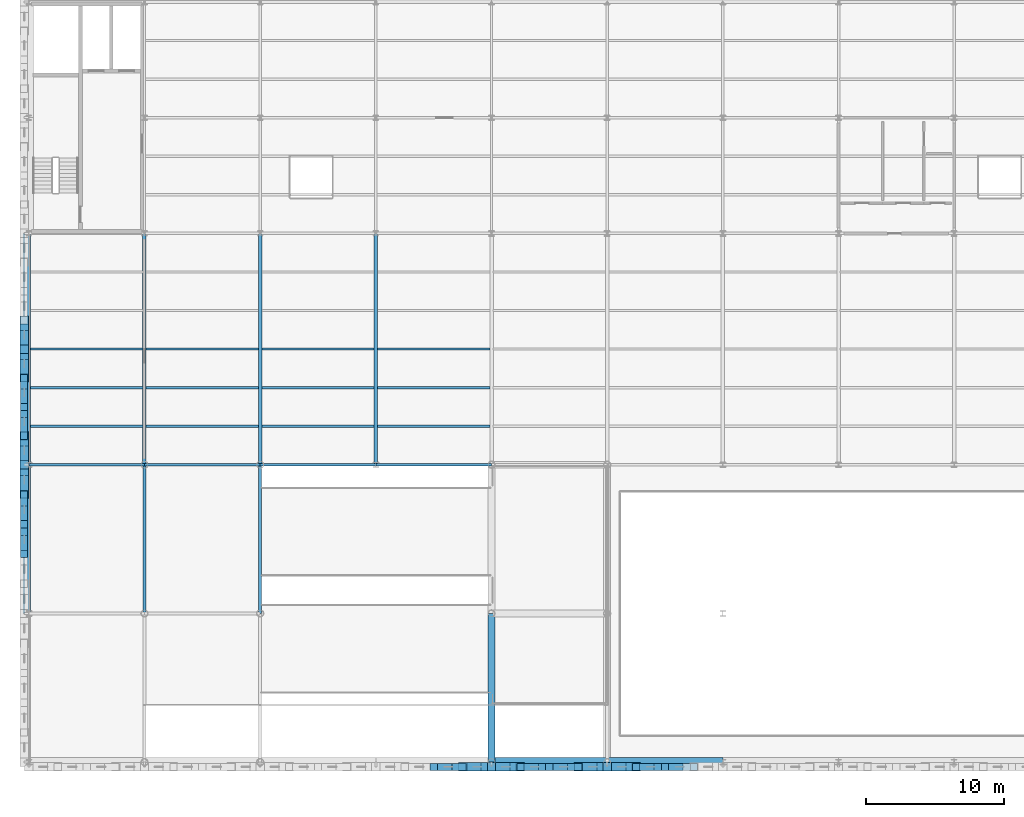
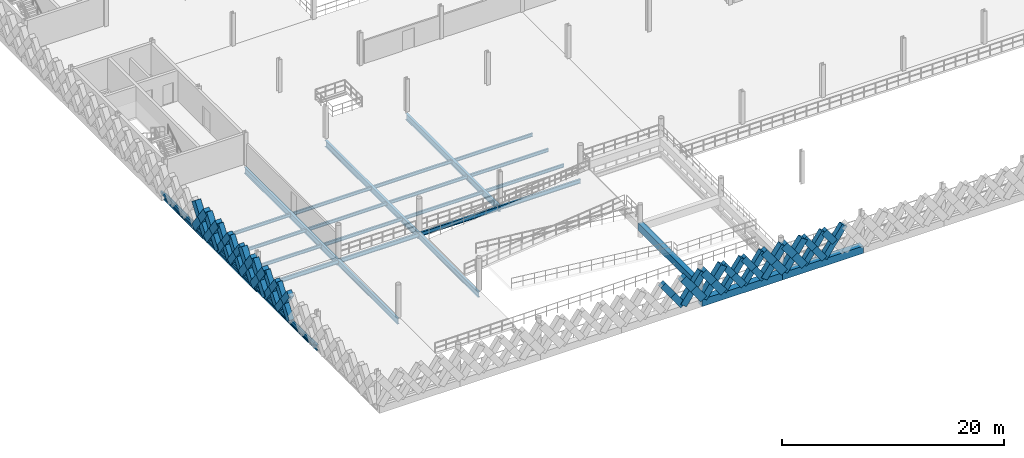
# One storey, part 24 of 101: 51 members, 26 beams.
"""IFC4 building model written with IfcOpenShell, lengths in metres."""

from ifc_helpers import new_model, si_unit, direction, frame, origin, origin_2d, place, context, subcontext, project, spatial, rectangle, hollow_rectangle, i_section, extrude, material, material_profile, profile_set, type_object, element, save


model = new_model("IFC4")

# Units and contexts
model_context = context("Model", 3, precision=1e-05, world=origin(), true_north=direction((0.0, 1.0)))
body_context = subcontext(model_context, "Body", "Model", "MODEL_VIEW")
ifc_project = project(units=[si_unit("LENGTHUNIT", "METRE"), si_unit("AREAUNIT", "SQUARE_METRE"), si_unit("VOLUMEUNIT", "CUBIC_METRE"), si_unit("PLANEANGLEUNIT", "RADIAN"), si_unit("MASSUNIT", "GRAM", prefix="KILO"), si_unit("THERMODYNAMICTEMPERATUREUNIT", "KELVIN"), si_unit("POWERUNIT", "WATT")], contexts=[model_context])

# Site, building, storey
site_placement = place(None, origin())
site = spatial("IfcSite", under=ifc_project, at=site_placement, CompositionType="ELEMENT")
building_placement = place(site_placement, origin())
building = spatial("IfcBuilding", under=site, at=building_placement, Name="Tembeka Court Mobility Hub", CompositionType="ELEMENT")
storey_placement = place(building_placement, frame((0.0, 0.0, 5.39990234375)))
storey = spatial("IfcBuildingStorey", under=building, at=storey_placement, Name="L01", CompositionType="ELEMENT", Elevation=5.39990234375)

# Beams
ifc_material_1 = material(Name="Steel S355", Category="steel")
ifc_material_profile_1 = material_profile(ifc_material_1, i_section(OverallWidth=0.18994140625, OverallDepth=0.45703125, WebThickness=0.009033203125, FlangeThickness=0.014404296875, FilletRadius=0.01025390625, at=origin_2d()), Name="UKB 457x191x74")
ifc_profile_set_1 = profile_set([ifc_material_profile_1], Name="Steel S355")
beam_type_1 = type_object("IfcBeamType", Name="BM-B01", PredefinedType="BEAM", material=ifc_profile_set_1)
beam_1_placement = place(storey_placement, frame((0.0, 21.60009765625, -0.478515625), z_axis=(1.0, 0.0, 0.0), x_axis=(0.0, 1.0, 0.0)))
element("IfcBeam", 1, at=beam_1_placement, inside=storey, type_object=beam_type_1, Name="Beam B01 (BM-L01-X0629)", PredefinedType="BEAM", context=body_context, shape_type="SweptSolid", body=[
    extrude(i_section(OverallWidth=0.18994140625, OverallDepth=0.45703125, WebThickness=0.009033203125, FlangeThickness=0.014404296875, FilletRadius=0.01025390625, at=origin_2d()), origin(), (0.0, 0.0, 1.0), 8.39990234375),
])
beam_2_placement = place(storey_placement, frame((8.39990234375, 21.60009765625, -0.478515625), z_axis=(1.0, 0.0, 0.0), x_axis=(0.0, 1.0, 0.0)))
element("IfcBeam", 2, at=beam_2_placement, inside=storey, type_object=beam_type_1, Name="Beam B01 (BM-L01-X0630)", PredefinedType="BEAM", context=body_context, shape_type="SweptSolid", body=[
    extrude(i_section(OverallWidth=0.18994140625, OverallDepth=0.45703125, WebThickness=0.009033203125, FlangeThickness=0.014404296875, FilletRadius=0.01025390625, at=origin_2d()), origin(), (0.0, 0.0, 1.0), 8.400146484375),
])
beam_3_placement = place(storey_placement, frame((16.800048828125, 21.60009765625, -0.478515625), z_axis=(1.0, 0.0, 0.0), x_axis=(0.0, 1.0, 0.0)))
element("IfcBeam", 3, at=beam_3_placement, inside=storey, type_object=beam_type_1, Name="Beam B01 (BM-L01-X0631)", PredefinedType="BEAM", context=body_context, shape_type="SweptSolid", body=[
    extrude(i_section(OverallWidth=0.18994140625, OverallDepth=0.45703125, WebThickness=0.009033203125, FlangeThickness=0.014404296875, FilletRadius=0.01025390625, at=origin_2d()), origin(), (0.0, 0.0, 1.0), 8.39990234375),
])
beam_4_placement = place(storey_placement, frame((25.199951171875, 21.60009765625, -0.448486328125), z_axis=(1.0, 0.0, 0.0), x_axis=(0.0, 1.0, 0.0)))
element("IfcBeam", 4, at=beam_4_placement, inside=storey, type_object=beam_type_1, Name="Beam B01 (BM-L01-X0632)", PredefinedType="BEAM", context=body_context, shape_type="SweptSolid", body=[
    extrude(i_section(OverallWidth=0.18994140625, OverallDepth=0.45703125, WebThickness=0.009033203125, FlangeThickness=0.014404296875, FilletRadius=0.01025390625, at=origin_2d()), origin(), (0.0, 0.0, 1.0), 8.400146484375),
])
ifc_material_2 = material(Name="Concrete C40/50", Category="concrete")
ifc_material_profile_2 = material_profile(ifc_material_2, rectangle(XDim=0.5, YDim=0.800048828125, at=origin_2d()), Name="RC-BM 500x800")
ifc_profile_set_2 = profile_set([ifc_material_profile_2], Name="Concrete C40/50")
beam_type_2 = type_object("IfcBeamType", Name="BM-B05", PredefinedType="BEAM", material=ifc_profile_set_2)
beam_5_placement = place(storey_placement, frame((33.60009765625, 0.0, 1.150146484375), z_axis=(0.0, 1.0, 0.0), x_axis=(-1.0, 0.0, 0.0)))
element("IfcBeam", 5, at=beam_5_placement, inside=storey, type_object=beam_type_2, Name="Car park vehicle ramp South R2 L01 half-landing beam EM1", PredefinedType="BEAM", context=body_context, shape_type="SweptSolid", body=[
    extrude(rectangle(XDim=0.5, YDim=0.800048828125, at=origin_2d()), origin(), (0.0, 0.0, 1.0), 10.800048828125),
])
ifc_material_profile_3 = material_profile(ifc_material_1, i_section(OverallWidth=0.25390625, OverallDepth=0.68408203125, WebThickness=0.012451171875, FlangeThickness=0.01904296875, FilletRadius=0.01513671875, at=origin_2d()), Name="UKB 686x254x140")
ifc_profile_set_3 = profile_set([ifc_material_profile_3], Name="Steel S355")
beam_type_3 = type_object("IfcBeamType", Name="BM-G01", PredefinedType="USERDEFINED", material=ifc_profile_set_3)
for number, where, z_axis, x_axis, name in (
    (6, (0.0, 21.60009765625, -0.56201171875), (0.0, 1.0, 0.0), (-1.0, 0.0, 0.0), "Beam G01 (BM-L01-Y0763)"),
    (7, (8.39990234375, 21.60009765625, -0.591796875), (0.0, 1.0, 0.0), (-1.0, 0.0, 0.0), "Beam G01 (BM-L01-Y0774)"),
    (8, (16.800048828125, 21.60009765625, -0.591796875), (0.0, 1.0, 0.0), (-1.0, 0.0, 0.0), "Beam G01 (BM-L01-Y0785)"),
    (9, (25.199951171875, 21.60009765625, -0.56201171875), (0.0, 1.0, 0.0), (-1.0, 0.0, 0.0), "Beam G01 (BM-L01-Y0794)"),
):
    element("IfcBeam", number, at=place(storey_placement, frame(where, z_axis=z_axis, x_axis=x_axis)), inside=storey, type_object=beam_type_3, Name=name, ObjectType="GIRDER", PredefinedType="USERDEFINED", context=body_context, shape_type="SweptSolid", body=[
        extrude(i_section(OverallWidth=0.25390625, OverallDepth=0.68408203125, WebThickness=0.012451171875, FlangeThickness=0.01904296875, FilletRadius=0.01513671875, at=origin_2d()), origin(), (0.0, 0.0, 1.0), 16.7998046875),
    ])
ifc_material_profile_4 = material_profile(ifc_material_1, i_section(OverallWidth=0.22900390625, OverallDepth=0.612060546875, WebThickness=0.011962890625, FlangeThickness=0.01953125, FilletRadius=0.0126953125, at=origin_2d()), Name="UKB 610x229x125")
ifc_profile_set_4 = profile_set([ifc_material_profile_4], Name="Steel S355")
beam_type_4 = type_object("IfcBeamType", Name="BM-G02", PredefinedType="USERDEFINED", material=ifc_profile_set_4)
for number, where, z_axis, x_axis, name in (
    (10, (0.0, 10.800048828125, -0.52587890625), (0.0, 1.0, 0.0), (-1.0, 0.0, 0.0), "Beam G02 (BM-L01-Y0762)"),
    (11, (8.39990234375, 10.800048828125, -0.555908203125), (0.0, 1.0, 0.0), (-1.0, 0.0, 0.0), "Beam G02 (BM-L01-Y0773)"),
    (12, (16.800048828125, 10.800048828125, -0.555908203125), (0.0, 1.0, 0.0), (-1.0, 0.0, 0.0), "Beam G02 (BM-L01-Y0784)"),
):
    element("IfcBeam", number, at=place(storey_placement, frame(where, z_axis=z_axis, x_axis=x_axis)), inside=storey, type_object=beam_type_4, Name=name, ObjectType="GIRDER", PredefinedType="USERDEFINED", context=body_context, shape_type="SweptSolid", body=[
        extrude(i_section(OverallWidth=0.22900390625, OverallDepth=0.612060546875, WebThickness=0.011962890625, FlangeThickness=0.01953125, FilletRadius=0.0126953125, at=origin_2d()), origin(), (0.0, 0.0, 1.0), 10.800048828125),
    ])
ifc_material_profile_5 = material_profile(ifc_material_1, i_section(OverallWidth=0.172119140625, OverallDepth=0.35498046875, WebThickness=0.00732421875, FlangeThickness=0.011474609375, FilletRadius=0.01025390625, at=origin_2d()), Name="UKB 356x171x51")
ifc_profile_set_5 = profile_set([ifc_material_profile_5], Name="Steel S355")
beam_type_5 = type_object("IfcBeamType", Name="BM-J01", PredefinedType="JOIST", material=ifc_profile_set_5)
for number, where, z_axis, x_axis, name in (
    (13, (0.1220703125, 24.39990234375, -0.3974609375), (1.0, 0.0, 0.0), (0.0, 1.0, 0.0), "Beam J01 (JST-L01-0911)"),
    (14, (0.1220703125, 27.199951171875, -0.3974609375), (1.0, 0.0, 0.0), (0.0, 1.0, 0.0), "Beam J01 (JST-L01-0912)"),
    (15, (0.1220703125, 30.0, -0.3974609375), (1.0, 0.0, 0.0), (0.0, 1.0, 0.0), "Beam J01 (JST-L01-0913)"),
    (16, (8.52197265625, 24.39990234375, -0.3974609375), (1.0, 0.0, 0.0), (0.0, 1.0, 0.0), "Beam J01 (JST-L01-0923)"),
    (17, (8.52197265625, 27.199951171875, -0.3974609375), (1.0, 0.0, 0.0), (0.0, 1.0, 0.0), "Beam J01 (JST-L01-0924)"),
    (18, (8.52197265625, 30.0, -0.3974609375), (1.0, 0.0, 0.0), (0.0, 1.0, 0.0), "Beam J01 (JST-L01-0925)"),
):
    element("IfcBeam", number, at=place(storey_placement, frame(where, z_axis=z_axis, x_axis=x_axis)), inside=storey, type_object=beam_type_5, Name=name, PredefinedType="JOIST", context=body_context, shape_type="SweptSolid", body=[
        extrude(i_section(OverallWidth=0.172119140625, OverallDepth=0.35498046875, WebThickness=0.00732421875, FlangeThickness=0.011474609375, FilletRadius=0.01025390625, at=origin_2d()), origin(), (0.0, 0.0, 1.0), 8.156005859375),
    ])
for number, where, z_axis, x_axis, name in (
    (19, (16.922119140625, 24.39990234375, -0.3974609375), (1.0, 0.0, 0.0), (0.0, 1.0, 0.0), "Beam J01 (JST-L01-0943)"),
    (20, (16.922119140625, 27.199951171875, -0.3974609375), (1.0, 0.0, 0.0), (0.0, 1.0, 0.0), "Beam J01 (JST-L01-0944)"),
    (21, (16.922119140625, 30.0, -0.3974609375), (1.0, 0.0, 0.0), (0.0, 1.0, 0.0), "Beam J01 (JST-L01-0945)"),
):
    element("IfcBeam", number, at=place(storey_placement, frame(where, z_axis=z_axis, x_axis=x_axis)), inside=storey, type_object=beam_type_5, Name=name, PredefinedType="JOIST", context=body_context, shape_type="SweptSolid", body=[
        extrude(i_section(OverallWidth=0.172119140625, OverallDepth=0.35498046875, WebThickness=0.00732421875, FlangeThickness=0.011474609375, FilletRadius=0.01025390625, at=origin_2d()), origin(), (0.0, 0.0, 1.0), 8.15576171875),
    ])
for number, where, z_axis, x_axis, name in (
    (22, (25.322021484375, 24.39990234375, -0.3974609375), (1.0, 0.0, 0.0), (0.0, 1.0, 0.0), "Beam J01 (JST-L01-0963)"),
    (23, (25.322021484375, 27.199951171875, -0.3974609375), (1.0, 0.0, 0.0), (0.0, 1.0, 0.0), "Beam J01 (JST-L01-0964)"),
    (24, (25.322021484375, 30.0, -0.3974609375), (1.0, 0.0, 0.0), (0.0, 1.0, 0.0), "Beam J01 (JST-L01-0965)"),
):
    element("IfcBeam", number, at=place(storey_placement, frame(where, z_axis=z_axis, x_axis=x_axis)), inside=storey, type_object=beam_type_5, Name=name, PredefinedType="JOIST", context=body_context, shape_type="SweptSolid", body=[
        extrude(i_section(OverallWidth=0.172119140625, OverallDepth=0.35498046875, WebThickness=0.00732421875, FlangeThickness=0.011474609375, FilletRadius=0.01025390625, at=origin_2d()), origin(), (0.0, 0.0, 1.0), 8.156005859375),
    ])
ifc_material_3 = material(Name="Precast concrete C45/55", Category="concrete")
ifc_material_profile_6 = material_profile(ifc_material_3, rectangle(XDim=0.64990234375, YDim=0.800048828125, at=origin_2d()), Name="PC-SP 650x800")
ifc_profile_set_6 = profile_set([ifc_material_profile_6], Name="Precast concrete C45/55")
beam_type_6 = type_object("IfcBeamType", Name="BM-SP01", PredefinedType="SPANDREL", material=ifc_profile_set_6)
for number, where, z_axis, x_axis, name in (
    (25, (33.60009765625, 0.0, -0.619873046875), (1.0, 0.0, 0.0), (0.0, 1.0, 0.0), "Beam SP01 (BM-L01-X0609)"),
    (26, (42.0, 0.0, -0.619873046875), (1.0, 0.0, 0.0), (0.0, 1.0, 0.0), "Beam SP01 (BM-L01-X0610)"),
):
    element("IfcBeam", number, at=place(storey_placement, frame(where, z_axis=z_axis, x_axis=x_axis)), inside=storey, type_object=beam_type_6, Name=name, PredefinedType="SPANDREL", context=body_context, shape_type="SweptSolid", body=[
        extrude(rectangle(XDim=0.64990234375, YDim=0.800048828125, at=origin_2d()), origin(), (0.0, 0.0, 1.0), 8.39990234375),
    ])

# Members
ifc_material_profile_7 = material_profile(ifc_material_3, rectangle(XDim=0.5, YDim=0.64990234375, at=origin_2d()), Name="PC-DIAG 500x650")
ifc_profile_set_7 = profile_set([ifc_material_profile_7], Name="Precast concrete C45/55")
member_type_1 = type_object("IfcMemberType", Name="MEM-DL01", PredefinedType="BRACE", material=ifc_profile_set_7)
for number, where, z_axis, x_axis, name in (
    (27, (31.5, -0.340087890625, 0.02001953125), (-0.582544294934, 0.0, 0.812798956963), (0.0, -1.0, 0.0), "Precast diamond lattice split lower strand DL01 (L01-15B1)"),
    (28, (30.449951171875, -0.340087890625, 1.485107421875), (-0.582544294934, 0.0, 0.812798956963), (0.0, -1.0, 0.0), "Precast diamond lattice split upper strand DL01 (L01-15B2)"),
):
    element("IfcMember", number, at=place(storey_placement, frame(where, z_axis=z_axis, x_axis=x_axis)), inside=storey, type_object=member_type_1, Name=name, PredefinedType="BRACE", context=body_context, shape_type="SweptSolid", body=[
        extrude(rectangle(XDim=0.5, YDim=0.64990234375, at=origin_2d()), origin(), (0.0, 0.0, 1.0), 1.802490234375),
    ])
member_1_placement = place(storey_placement, frame((35.699951171875, -0.340087890625, 0.02001953125), z_axis=(0.582544294934, 0.0, 0.812798956963), x_axis=(0.0, 1.0, 0.0)))
element("IfcMember", 29, at=member_1_placement, inside=storey, type_object=member_type_1, Name="Precast diamond lattice continuous strand DL01 (L01-18A)", PredefinedType="BRACE", context=body_context, shape_type="SweptSolid", body=[
    extrude(rectangle(XDim=0.5, YDim=0.64990234375, at=origin_2d()), origin(), (0.0, 0.0, 1.0), 3.60498046875),
])
for number, where, z_axis, x_axis, name in (
    (30, (37.800048828125, -0.340087890625, 0.02001953125), (-0.582544294934, 0.0, 0.812798956963), (0.0, -1.0, 0.0), "Precast diamond lattice split lower strand DL01 (L01-18B1)"),
    (31, (36.75, -0.340087890625, 1.485107421875), (-0.582544294934, 0.0, 0.812798956963), (0.0, -1.0, 0.0), "Precast diamond lattice split upper strand DL01 (L01-18B2)"),
):
    element("IfcMember", number, at=place(storey_placement, frame(where, z_axis=z_axis, x_axis=x_axis)), inside=storey, type_object=member_type_1, Name=name, PredefinedType="BRACE", context=body_context, shape_type="SweptSolid", body=[
        extrude(rectangle(XDim=0.5, YDim=0.64990234375, at=origin_2d()), origin(), (0.0, 0.0, 1.0), 1.802490234375),
    ])
member_2_placement = place(storey_placement, frame((37.800048828125, -0.340087890625, 0.02001953125), z_axis=(0.582499552306, 0.0, 0.812831022762), x_axis=(0.0, 1.0, 0.0)))
element("IfcMember", 32, at=member_2_placement, inside=storey, type_object=member_type_1, Name="Precast diamond lattice continuous strand DL01 (L01-19A)", PredefinedType="BRACE", context=body_context, shape_type="SweptSolid", body=[
    extrude(rectangle(XDim=0.5, YDim=0.64990234375, at=origin_2d()), origin(), (0.0, 0.0, 1.0), 3.60498046875),
])
for number, where, z_axis, x_axis, name in (
    (33, (39.89990234375, -0.340087890625, 0.02001953125), (-0.582454804382, 0.0, 0.812863088627), (0.0, -1.0, 0.0), "Precast diamond lattice split lower strand DL01 (L01-19B1)"),
    (34, (38.85009765625, -0.340087890625, 1.485107421875), (-0.582544294934, 0.0, 0.812798956963), (0.0, -1.0, 0.0), "Precast diamond lattice split upper strand DL01 (L01-19B2)"),
):
    element("IfcMember", number, at=place(storey_placement, frame(where, z_axis=z_axis, x_axis=x_axis)), inside=storey, type_object=member_type_1, Name=name, PredefinedType="BRACE", context=body_context, shape_type="SweptSolid", body=[
        extrude(rectangle(XDim=0.5, YDim=0.64990234375, at=origin_2d()), origin(), (0.0, 0.0, 1.0), 1.802490234375),
    ])
member_3_placement = place(storey_placement, frame((44.10009765625, -0.340087890625, 0.02001953125), z_axis=(0.582499552306, 0.0, 0.812831022762), x_axis=(0.0, 1.0, 0.0)))
element("IfcMember", 35, at=member_3_placement, inside=storey, type_object=member_type_1, Name="Precast diamond lattice continuous strand DL01 (L01-22A)", PredefinedType="BRACE", context=body_context, shape_type="SweptSolid", body=[
    extrude(rectangle(XDim=0.5, YDim=0.64990234375, at=origin_2d()), origin(), (0.0, 0.0, 1.0), 3.60498046875),
])
for number, where, z_axis, x_axis, name in (
    (36, (46.199951171875, -0.340087890625, 0.02001953125), (-0.582544294934, 0.0, 0.812798956963), (0.0, -1.0, 0.0), "Precast diamond lattice split lower strand DL01 (L01-22B1)"),
    (37, (45.14990234375, -0.340087890625, 1.485107421875), (-0.582454804382, 0.0, 0.812863088627), (0.0, -1.0, 0.0), "Precast diamond lattice split upper strand DL01 (L01-22B2)"),
):
    element("IfcMember", number, at=place(storey_placement, frame(where, z_axis=z_axis, x_axis=x_axis)), inside=storey, type_object=member_type_1, Name=name, PredefinedType="BRACE", context=body_context, shape_type="SweptSolid", body=[
        extrude(rectangle(XDim=0.5, YDim=0.64990234375, at=origin_2d()), origin(), (0.0, 0.0, 1.0), 1.802490234375),
    ])
member_4_placement = place(storey_placement, frame((46.199951171875, -0.340087890625, 0.02001953125), z_axis=(0.582544294934, 0.0, 0.812798956963), x_axis=(0.0, 1.0, 0.0)))
element("IfcMember", 38, at=member_4_placement, inside=storey, type_object=member_type_1, Name="Precast diamond lattice continuous strand DL01 (L01-23A)", PredefinedType="BRACE", context=body_context, shape_type="SweptSolid", body=[
    extrude(rectangle(XDim=0.5, YDim=0.64990234375, at=origin_2d()), origin(), (0.0, 0.0, 1.0), 3.60498046875),
])
member_5_placement = place(storey_placement, frame((47.25, -0.340087890625, 1.485107421875), z_axis=(-0.582544294934, 0.0, 0.812798956963), x_axis=(0.0, -1.0, 0.0)))
element("IfcMember", 39, at=member_5_placement, inside=storey, type_object=member_type_1, Name="Precast diamond lattice split upper strand DL01 (L01-23B2)", PredefinedType="BRACE", context=body_context, shape_type="SweptSolid", body=[
    extrude(rectangle(XDim=0.5, YDim=0.64990234375, at=origin_2d()), origin(), (0.0, 0.0, 1.0), 1.802490234375),
])
member_6_placement = place(storey_placement, frame((-0.340087890625, 15.1201171875, 0.02001953125), z_axis=(0.0, 0.593347732742, 0.804946251653), x_axis=(-1.0, 0.0, 0.0)))
element("IfcMember", 40, at=member_6_placement, inside=storey, type_object=member_type_1, Name="Precast diamond lattice continuous strand DL01 (L01-96C)", PredefinedType="BRACE", context=body_context, shape_type="SweptSolid", body=[
    extrude(rectangle(XDim=0.5, YDim=0.64990234375, at=origin_2d()), origin(), (0.0, 0.0, 1.0), 3.64013671875),
])
for number, where, z_axis, x_axis, name in (
    (41, (-0.340087890625, 17.280029296875, 0.02001953125), (0.0, -0.593391185876, 0.804914219358), (1.0, 0.0, 0.0), "Precast diamond lattice split lower strand DL01 (L01-96D1)"),
    (42, (-0.340087890625, 16.199951171875, 1.485107421875), (0.0, -0.593304274421, 0.804978284151), (1.0, 0.0, 0.0), "Precast diamond lattice split upper strand DL01 (L01-96D2)"),
):
    element("IfcMember", number, at=place(storey_placement, frame(where, z_axis=z_axis, x_axis=x_axis)), inside=storey, type_object=member_type_1, Name=name, PredefinedType="BRACE", context=body_context, shape_type="SweptSolid", body=[
        extrude(rectangle(XDim=0.5, YDim=0.64990234375, at=origin_2d()), origin(), (0.0, 0.0, 1.0), 1.820068359375),
    ])
member_7_placement = place(storey_placement, frame((-0.340087890625, 17.280029296875, 0.02001953125), z_axis=(0.0, 0.593347732742, 0.804946251653), x_axis=(-1.0, 0.0, 0.0)))
element("IfcMember", 43, at=member_7_placement, inside=storey, type_object=member_type_1, Name="Precast diamond lattice continuous strand DL01 (L01-97C)", PredefinedType="BRACE", context=body_context, shape_type="SweptSolid", body=[
    extrude(rectangle(XDim=0.5, YDim=0.64990234375, at=origin_2d()), origin(), (0.0, 0.0, 1.0), 3.64013671875),
])
for number, where, z_axis, x_axis, name in (
    (44, (-0.340087890625, 19.43994140625, 0.02001953125), (0.0, -0.593304274421, 0.804978284151), (1.0, 0.0, 0.0), "Precast diamond lattice split lower strand DL01 (L01-97D1)"),
    (45, (-0.340087890625, 18.360107421875, 1.485107421875), (0.0, -0.593391185876, 0.804914219358), (1.0, 0.0, 0.0), "Precast diamond lattice split upper strand DL01 (L01-97D2)"),
):
    element("IfcMember", number, at=place(storey_placement, frame(where, z_axis=z_axis, x_axis=x_axis)), inside=storey, type_object=member_type_1, Name=name, PredefinedType="BRACE", context=body_context, shape_type="SweptSolid", body=[
        extrude(rectangle(XDim=0.5, YDim=0.64990234375, at=origin_2d()), origin(), (0.0, 0.0, 1.0), 1.820068359375),
    ])
member_8_placement = place(storey_placement, frame((-0.340087890625, 23.699951171875, 0.02001953125), z_axis=(0.0, 0.582544294934, 0.812798956963), x_axis=(-1.0, 0.0, 0.0)))
element("IfcMember", 46, at=member_8_placement, inside=storey, type_object=member_type_1, Name="Precast diamond lattice continuous strand DL01 (L01-100C)", PredefinedType="BRACE", context=body_context, shape_type="SweptSolid", body=[
    extrude(rectangle(XDim=0.5, YDim=0.64990234375, at=origin_2d()), origin(), (0.0, 0.0, 1.0), 3.60498046875),
])
for number, where, z_axis, x_axis, name in (
    (47, (-0.340087890625, 25.800048828125, 0.02001953125), (0.0, -0.582544294934, 0.812798956963), (1.0, 0.0, 0.0), "Precast diamond lattice split lower strand DL01 (L01-100D1)"),
    (48, (-0.340087890625, 24.75, 1.485107421875), (0.0, -0.582544294934, 0.812798956963), (1.0, 0.0, 0.0), "Precast diamond lattice split upper strand DL01 (L01-100D2)"),
):
    element("IfcMember", number, at=place(storey_placement, frame(where, z_axis=z_axis, x_axis=x_axis)), inside=storey, type_object=member_type_1, Name=name, PredefinedType="BRACE", context=body_context, shape_type="SweptSolid", body=[
        extrude(rectangle(XDim=0.5, YDim=0.64990234375, at=origin_2d()), origin(), (0.0, 0.0, 1.0), 1.802490234375),
    ])
member_9_placement = place(storey_placement, frame((-0.340087890625, 25.800048828125, 0.02001953125), z_axis=(0.0, 0.582499552306, 0.812831022762), x_axis=(-1.0, 0.0, 0.0)))
element("IfcMember", 49, at=member_9_placement, inside=storey, type_object=member_type_1, Name="Precast diamond lattice continuous strand DL01 (L01-101C)", PredefinedType="BRACE", context=body_context, shape_type="SweptSolid", body=[
    extrude(rectangle(XDim=0.5, YDim=0.64990234375, at=origin_2d()), origin(), (0.0, 0.0, 1.0), 3.60498046875),
])
for number, where, z_axis, x_axis, name in (
    (50, (-0.340087890625, 27.89990234375, 0.02001953125), (0.0, -0.582454804382, 0.812863088627), (1.0, 0.0, 0.0), "Precast diamond lattice split lower strand DL01 (L01-101D1)"),
    (51, (-0.340087890625, 26.85009765625, 1.485107421875), (0.0, -0.582544294934, 0.812798956963), (1.0, 0.0, 0.0), "Precast diamond lattice split upper strand DL01 (L01-101D2)"),
):
    element("IfcMember", number, at=place(storey_placement, frame(where, z_axis=z_axis, x_axis=x_axis)), inside=storey, type_object=member_type_1, Name=name, PredefinedType="BRACE", context=body_context, shape_type="SweptSolid", body=[
        extrude(rectangle(XDim=0.5, YDim=0.64990234375, at=origin_2d()), origin(), (0.0, 0.0, 1.0), 1.802490234375),
    ])
ifc_material_profile_8 = material_profile(ifc_material_3, rectangle(XDim=0.60009765625, YDim=0.75, at=origin_2d()), Name="PC-DIAG 600x750")
ifc_profile_set_8 = profile_set([ifc_material_profile_8], Name="Precast concrete C45/55")
member_type_2 = type_object("IfcMemberType", Name="MEM-DL02", PredefinedType="BRACE", material=ifc_profile_set_8)
member_10_placement = place(storey_placement, frame((31.5, -0.340087890625, 0.02001953125), z_axis=(0.582544294934, 0.0, 0.812798956963), x_axis=(0.0, 1.0, 0.0)))
element("IfcMember", 52, at=member_10_placement, inside=storey, type_object=member_type_2, Name="Precast diamond lattice continuous strand DL02 (L01-16A)", PredefinedType="BRACE", context=body_context, shape_type="SweptSolid", body=[
    extrude(rectangle(XDim=0.60009765625, YDim=0.75, at=origin_2d()), origin(), (0.0, 0.0, 1.0), 3.60498046875),
])
for number, where, z_axis, x_axis, name in (
    (53, (33.60009765625, -0.340087890625, 0.02001953125), (-0.582544294934, 0.0, 0.812798956963), (0.0, -1.0, 0.0), "Precast diamond lattice split lower strand DL02 (L01-16B1)"),
    (54, (32.550048828125, -0.340087890625, 1.485107421875), (-0.582544294934, 0.0, 0.812798956963), (0.0, -1.0, 0.0), "Precast diamond lattice split upper strand DL02 (L01-16B2)"),
):
    element("IfcMember", number, at=place(storey_placement, frame(where, z_axis=z_axis, x_axis=x_axis)), inside=storey, type_object=member_type_2, Name=name, PredefinedType="BRACE", context=body_context, shape_type="SweptSolid", body=[
        extrude(rectangle(XDim=0.60009765625, YDim=0.75, at=origin_2d()), origin(), (0.0, 0.0, 1.0), 1.802490234375),
    ])
member_11_placement = place(storey_placement, frame((33.60009765625, -0.340087890625, 0.02001953125), z_axis=(0.582499552306, 0.0, 0.812831022762), x_axis=(0.0, 1.0, 0.0)))
element("IfcMember", 55, at=member_11_placement, inside=storey, type_object=member_type_2, Name="Precast diamond lattice continuous strand DL02 (L01-17A)", PredefinedType="BRACE", context=body_context, shape_type="SweptSolid", body=[
    extrude(rectangle(XDim=0.60009765625, YDim=0.75, at=origin_2d()), origin(), (0.0, 0.0, 1.0), 3.60498046875),
])
for number, where, z_axis, x_axis, name in (
    (56, (35.699951171875, -0.340087890625, 0.02001953125), (-0.582544294934, 0.0, 0.812798956963), (0.0, -1.0, 0.0), "Precast diamond lattice split lower strand DL02 (L01-17B1)"),
    (57, (34.64990234375, -0.340087890625, 1.485107421875), (-0.582454804382, 0.0, 0.812863088627), (0.0, -1.0, 0.0), "Precast diamond lattice split upper strand DL02 (L01-17B2)"),
):
    element("IfcMember", number, at=place(storey_placement, frame(where, z_axis=z_axis, x_axis=x_axis)), inside=storey, type_object=member_type_2, Name=name, PredefinedType="BRACE", context=body_context, shape_type="SweptSolid", body=[
        extrude(rectangle(XDim=0.60009765625, YDim=0.75, at=origin_2d()), origin(), (0.0, 0.0, 1.0), 1.802490234375),
    ])
member_12_placement = place(storey_placement, frame((39.89990234375, -0.340087890625, 0.02001953125), z_axis=(0.582544294934, 0.0, 0.812798956963), x_axis=(0.0, 1.0, 0.0)))
element("IfcMember", 58, at=member_12_placement, inside=storey, type_object=member_type_2, Name="Precast diamond lattice continuous strand DL02 (L01-20A)", PredefinedType="BRACE", context=body_context, shape_type="SweptSolid", body=[
    extrude(rectangle(XDim=0.60009765625, YDim=0.75, at=origin_2d()), origin(), (0.0, 0.0, 1.0), 3.60498046875),
])
for number, where, z_axis, x_axis, name in (
    (59, (42.0, -0.340087890625, 0.02001953125), (-0.582544294934, 0.0, 0.812798956963), (0.0, -1.0, 0.0), "Precast diamond lattice split lower strand DL02 (L01-20B1)"),
    (60, (40.949951171875, -0.340087890625, 1.485107421875), (-0.582544294934, 0.0, 0.812798956963), (0.0, -1.0, 0.0), "Precast diamond lattice split upper strand DL02 (L01-20B2)"),
):
    element("IfcMember", number, at=place(storey_placement, frame(where, z_axis=z_axis, x_axis=x_axis)), inside=storey, type_object=member_type_2, Name=name, PredefinedType="BRACE", context=body_context, shape_type="SweptSolid", body=[
        extrude(rectangle(XDim=0.60009765625, YDim=0.75, at=origin_2d()), origin(), (0.0, 0.0, 1.0), 1.802490234375),
    ])
member_13_placement = place(storey_placement, frame((42.0, -0.340087890625, 0.02001953125), z_axis=(0.582544294934, 0.0, 0.812798956963), x_axis=(0.0, 1.0, 0.0)))
element("IfcMember", 61, at=member_13_placement, inside=storey, type_object=member_type_2, Name="Precast diamond lattice continuous strand DL02 (L01-21A)", PredefinedType="BRACE", context=body_context, shape_type="SweptSolid", body=[
    extrude(rectangle(XDim=0.60009765625, YDim=0.75, at=origin_2d()), origin(), (0.0, 0.0, 1.0), 3.60498046875),
])
for number, where, z_axis, x_axis, name in (
    (62, (44.10009765625, -0.340087890625, 0.02001953125), (-0.582544294934, 0.0, 0.812798956963), (0.0, -1.0, 0.0), "Precast diamond lattice split lower strand DL02 (L01-21B1)"),
    (63, (43.050048828125, -0.340087890625, 1.485107421875), (-0.582544294934, 0.0, 0.812798956963), (0.0, -1.0, 0.0), "Precast diamond lattice split upper strand DL02 (L01-21B2)"),
):
    element("IfcMember", number, at=place(storey_placement, frame(where, z_axis=z_axis, x_axis=x_axis)), inside=storey, type_object=member_type_2, Name=name, PredefinedType="BRACE", context=body_context, shape_type="SweptSolid", body=[
        extrude(rectangle(XDim=0.60009765625, YDim=0.75, at=origin_2d()), origin(), (0.0, 0.0, 1.0), 1.802490234375),
    ])
member_14_placement = place(storey_placement, frame((-0.340087890625, 19.43994140625, 0.02001953125), z_axis=(0.0, 0.593391185876, 0.804914219358), x_axis=(-1.0, 0.0, 0.0)))
element("IfcMember", 64, at=member_14_placement, inside=storey, type_object=member_type_2, Name="Precast diamond lattice continuous strand DL02 (L01-98C)", PredefinedType="BRACE", context=body_context, shape_type="SweptSolid", body=[
    extrude(rectangle(XDim=0.60009765625, YDim=0.75, at=origin_2d()), origin(), (0.0, 0.0, 1.0), 3.640380859375),
])
for number, where, z_axis, x_axis, name in (
    (65, (-0.340087890625, 21.60009765625, 0.02001953125), (0.0, -0.593391185876, 0.804914219358), (1.0, 0.0, 0.0), "Precast diamond lattice split lower strand DL02 (L01-98D1)"),
    (66, (-0.340087890625, 20.52001953125, 1.485107421875), (0.0, -0.593391185876, 0.804914219358), (1.0, 0.0, 0.0), "Precast diamond lattice split upper strand DL02 (L01-98D2)"),
):
    element("IfcMember", number, at=place(storey_placement, frame(where, z_axis=z_axis, x_axis=x_axis)), inside=storey, type_object=member_type_2, Name=name, PredefinedType="BRACE", context=body_context, shape_type="SweptSolid", body=[
        extrude(rectangle(XDim=0.60009765625, YDim=0.75, at=origin_2d()), origin(), (0.0, 0.0, 1.0), 1.820068359375),
    ])
member_15_placement = place(storey_placement, frame((-0.340087890625, 21.60009765625, 0.02001953125), z_axis=(0.0, 0.582499552306, 0.812831022762), x_axis=(-1.0, 0.0, 0.0)))
element("IfcMember", 67, at=member_15_placement, inside=storey, type_object=member_type_2, Name="Precast diamond lattice continuous strand DL02 (L01-99C)", PredefinedType="BRACE", context=body_context, shape_type="SweptSolid", body=[
    extrude(rectangle(XDim=0.60009765625, YDim=0.75, at=origin_2d()), origin(), (0.0, 0.0, 1.0), 3.60498046875),
])
for number, where, z_axis, x_axis, name in (
    (68, (-0.340087890625, 23.699951171875, 0.02001953125), (0.0, -0.582544294934, 0.812798956963), (1.0, 0.0, 0.0), "Precast diamond lattice split lower strand DL02 (L01-99D1)"),
    (69, (-0.340087890625, 22.64990234375, 1.485107421875), (0.0, -0.582454804382, 0.812863088627), (1.0, 0.0, 0.0), "Precast diamond lattice split upper strand DL02 (L01-99D2)"),
):
    element("IfcMember", number, at=place(storey_placement, frame(where, z_axis=z_axis, x_axis=x_axis)), inside=storey, type_object=member_type_2, Name=name, PredefinedType="BRACE", context=body_context, shape_type="SweptSolid", body=[
        extrude(rectangle(XDim=0.60009765625, YDim=0.75, at=origin_2d()), origin(), (0.0, 0.0, 1.0), 1.802490234375),
    ])
member_16_placement = place(storey_placement, frame((-0.340087890625, 27.89990234375, 0.02001953125), z_axis=(0.0, 0.582544294934, 0.812798956963), x_axis=(-1.0, 0.0, 0.0)))
element("IfcMember", 70, at=member_16_placement, inside=storey, type_object=member_type_2, Name="Precast diamond lattice continuous strand DL02 (L01-102C)", PredefinedType="BRACE", context=body_context, shape_type="SweptSolid", body=[
    extrude(rectangle(XDim=0.60009765625, YDim=0.75, at=origin_2d()), origin(), (0.0, 0.0, 1.0), 3.60498046875),
])
for number, where, z_axis, x_axis, name in (
    (71, (-0.340087890625, 30.0, 0.02001953125), (0.0, -0.582544294934, 0.812798956963), (1.0, 0.0, 0.0), "Precast diamond lattice split lower strand DL02 (L01-102D1)"),
    (72, (-0.340087890625, 28.949951171875, 1.485107421875), (0.0, -0.582544294934, 0.812798956963), (1.0, 0.0, 0.0), "Precast diamond lattice split upper strand DL02 (L01-102D2)"),
):
    element("IfcMember", number, at=place(storey_placement, frame(where, z_axis=z_axis, x_axis=x_axis)), inside=storey, type_object=member_type_2, Name=name, PredefinedType="BRACE", context=body_context, shape_type="SweptSolid", body=[
        extrude(rectangle(XDim=0.60009765625, YDim=0.75, at=origin_2d()), origin(), (0.0, 0.0, 1.0), 1.802490234375),
    ])
member_17_placement = place(storey_placement, frame((-0.340087890625, 30.0, 0.02001953125), z_axis=(0.0, 0.582544294934, 0.812798956963), x_axis=(-1.0, 0.0, 0.0)))
element("IfcMember", 73, at=member_17_placement, inside=storey, type_object=member_type_2, Name="Precast diamond lattice continuous strand DL02 (L01-103C)", PredefinedType="BRACE", context=body_context, shape_type="SweptSolid", body=[
    extrude(rectangle(XDim=0.60009765625, YDim=0.75, at=origin_2d()), origin(), (0.0, 0.0, 1.0), 3.60498046875),
])
for number, where, z_axis, x_axis, name in (
    (74, (-0.340087890625, 32.10009765625, 0.02001953125), (0.0, -0.582544294934, 0.812798956963), (1.0, 0.0, 0.0), "Precast diamond lattice split lower strand DL02 (L01-103D1)"),
    (75, (-0.340087890625, 31.050048828125, 1.485107421875), (0.0, -0.582544294934, 0.812798956963), (1.0, 0.0, 0.0), "Precast diamond lattice split upper strand DL02 (L01-103D2)"),
):
    element("IfcMember", number, at=place(storey_placement, frame(where, z_axis=z_axis, x_axis=x_axis)), inside=storey, type_object=member_type_2, Name=name, PredefinedType="BRACE", context=body_context, shape_type="SweptSolid", body=[
        extrude(rectangle(XDim=0.60009765625, YDim=0.75, at=origin_2d()), origin(), (0.0, 0.0, 1.0), 1.802490234375),
    ])
ifc_material_profile_9 = material_profile(ifc_material_1, hollow_rectangle(XDim=0.14990234375, YDim=0.300048828125, WallThickness=0.010009765625, at=origin_2d()), Name="RHS 300x150x10")
ifc_profile_set_9 = profile_set([ifc_material_profile_9], Name="Steel S355")
member_type_3 = type_object("IfcMemberType", Name="MEM-ST03", PredefinedType="STRUT", material=ifc_profile_set_9)
member_18_placement = place(storey_placement, frame((-0.340087890625, 10.800048828125, 0.02001953125), z_axis=(0.0, 1.0, 0.0), x_axis=(-1.0, 0.0, 0.0)))
element("IfcMember", 76, at=member_18_placement, inside=storey, type_object=member_type_3, Name="Proud lattice sill tie chord SR03 (L01-W-10)", PredefinedType="STRUT", context=body_context, shape_type="SweptSolid", body=[
    extrude(hollow_rectangle(XDim=0.14990234375, YDim=0.300048828125, WallThickness=0.010009765625, at=origin_2d()), origin(), (0.0, 0.0, 1.0), 10.800048828125),
])
member_19_placement = place(storey_placement, frame((-0.340087890625, 21.60009765625, 0.02001953125), z_axis=(0.0, 1.0, 0.0), x_axis=(-1.0, 0.0, 0.0)))
element("IfcMember", 77, at=member_19_placement, inside=storey, type_object=member_type_3, Name="Proud lattice sill tie chord SR03 (L01-W-21)", PredefinedType="STRUT", context=body_context, shape_type="SweptSolid", body=[
    extrude(hollow_rectangle(XDim=0.14990234375, YDim=0.300048828125, WallThickness=0.010009765625, at=origin_2d()), origin(), (0.0, 0.0, 1.0), 16.7998046875),
])

save(model, "model.ifc")
